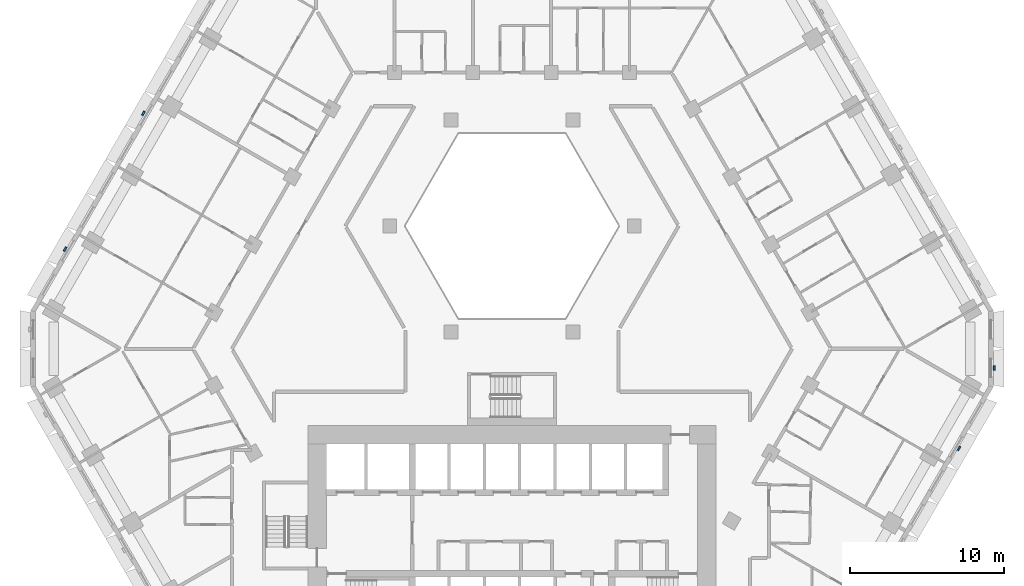
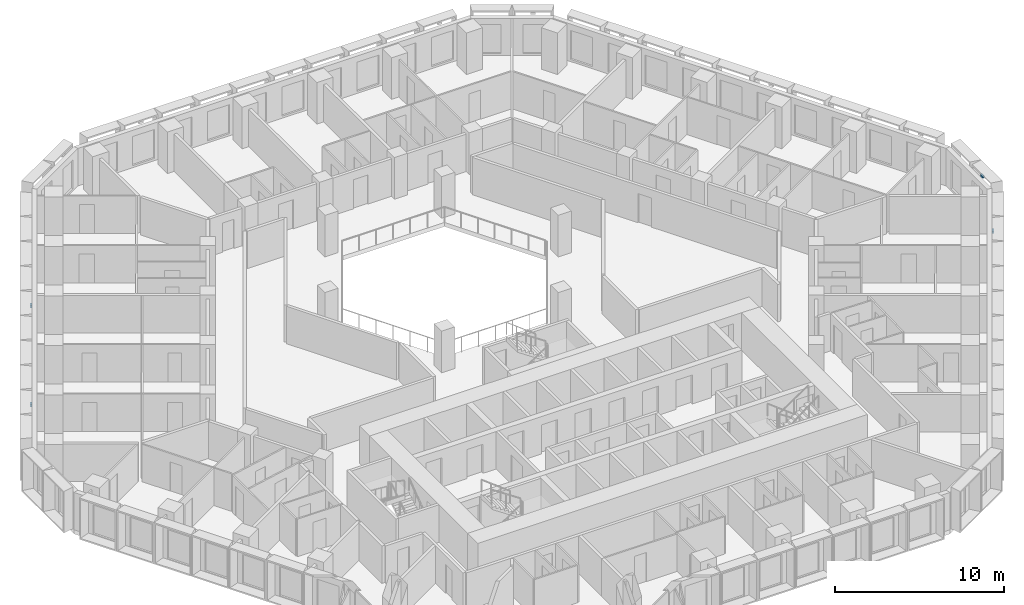
# One storey, part 14 of 21: 4 discrete accessories.
"""IFC4 building model written with IfcOpenShell, lengths in metres."""

from ifc_helpers import new_model, si_unit, direction, frame, origin, place, context, subcontext, project, spatial, polyline, outline, extrude, source, transform, mapped, material, type_object, type_shapes, element, save


model = new_model("IFC4")

# Units and contexts
model_context = context("Model", 3, precision=1e-05, world=origin(), true_north=direction((0.0, 1.0)))
body_context = subcontext(model_context, "Body", "Model", "MODEL_VIEW")
ifc_project = project(units=[si_unit("LENGTHUNIT", "METRE"), si_unit("AREAUNIT", "SQUARE_METRE"), si_unit("VOLUMEUNIT", "CUBIC_METRE"), si_unit("PLANEANGLEUNIT", "RADIAN"), si_unit("MASSUNIT", "GRAM", prefix="KILO")], contexts=[model_context])

# Site, building, storey
site_placement = place(None, origin())
site = spatial("IfcSite", under=ifc_project, at=site_placement, CompositionType="ELEMENT")
building_placement = place(site_placement, origin())
building = spatial("IfcBuilding", under=site, at=building_placement, Name="Beryl Residences", CompositionType="ELEMENT")
storey_placement = place(building_placement, frame((0.0, 0.0, 35.39990234375)))
storey = spatial("IfcBuildingStorey", under=building, at=storey_placement, Name="L10", CompositionType="ELEMENT", Elevation=35.39990234375)

# Discrete accessories
ifc_material = material(Name="Steel S355", Category="steel")
discrete_accessory_type = type_object("IfcDiscreteAccessoryType", Name="BR1 frame bracket 300 x 120 x 150 mm", PredefinedType="BRACKET", material=ifc_material)
shared_shape = source(origin(), body_context, "Body", "SweptSolid", [
    extrude(outline(polyline([(-0.14990234375, 0.0), (0.14990234375, 0.0), (0.14990234375, 0.1201171875), (-0.14990234375, 0.1201171875), (-0.14990234375, 0.0)])), origin(), (0.0, 0.0, 1.0), 0.14990234375),
])
type_shapes(discrete_accessory_type, [shared_shape])
for number, where, z_axis, x_axis, name in (
    (1, (-23.9580078125, 15.303955078125, 2.75), (0.0, 0.0, 1.0), (0.5, 0.866025403784, 0.0), "BR1 bracket L10 NW 5"),
    (2, (-29.06103515625, 6.464111328125, 2.75), (0.0, 0.0, 1.0), (0.5, 0.866025403784, 0.0), "BR1 bracket L10 NW 9"),
    (3, (29.06103515625, -6.464111328125, 2.75), (0.0, 0.0, 1.0), (-0.5, -0.866025403784, 0.0), "BR1 bracket L10 SE 9"),
    (4, (31.35009765625, -1.25, 2.75), (0.0, 0.0, 1.0), (0.0, -1.0, 0.0), "BR1 bracket L10 SE-NE 1"),
):
    element("IfcDiscreteAccessory", number, at=place(storey_placement, frame(where, z_axis=z_axis, x_axis=x_axis)), inside=storey, type_object=discrete_accessory_type, Name=name, PredefinedType="BRACKET", context=body_context, shape_type="MappedRepresentation", body=[
        mapped(shared_shape, transform((0.0, 0.0, 0.0))),
    ])

save(model, "model.ifc")
